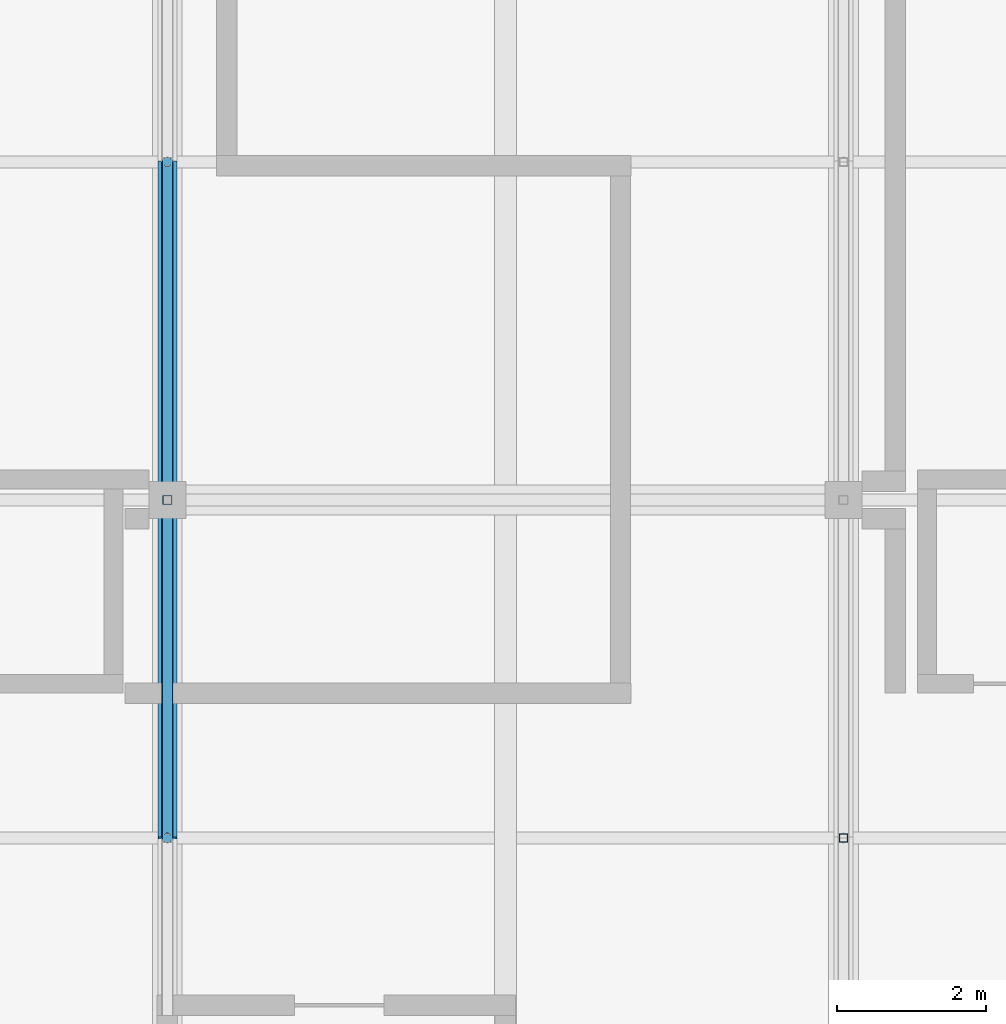
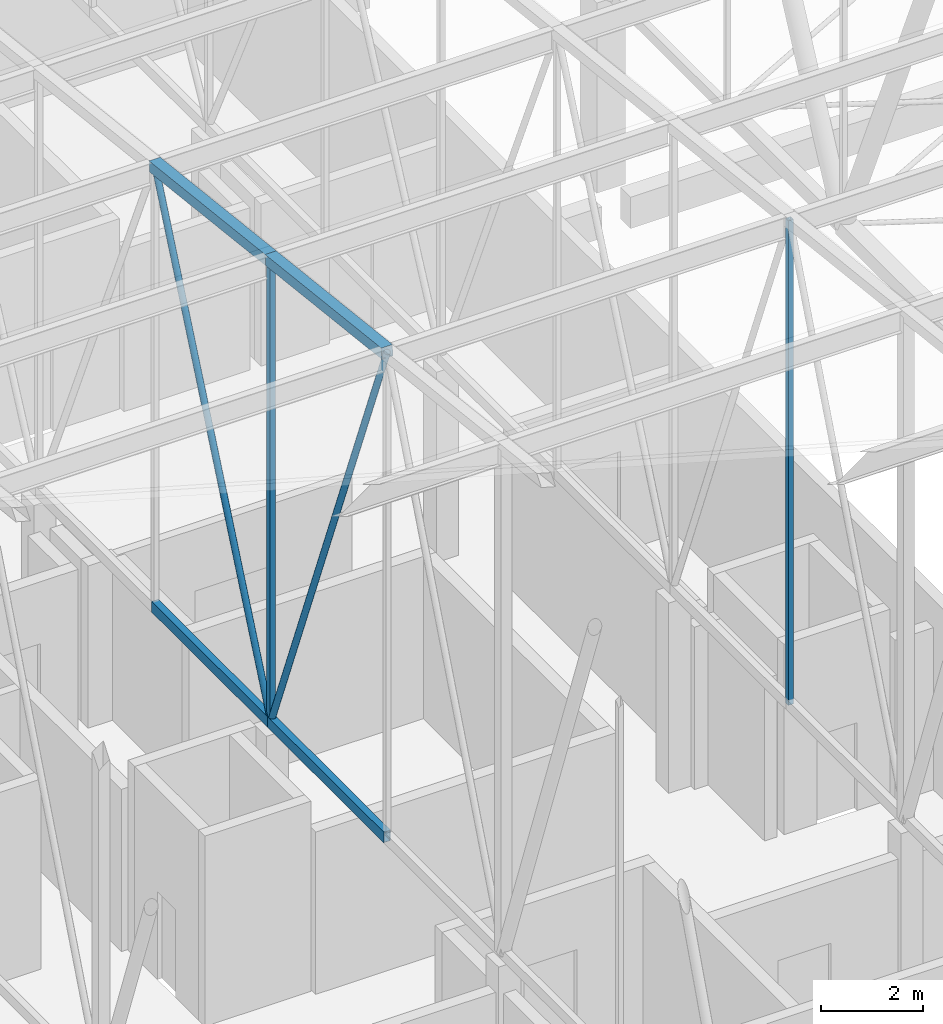
# One storey, part 210 of 500: 8 members.
"""IFC4 building model written with IfcOpenShell, lengths in metres."""

from ifc_helpers import new_model, si_unit, direction, frame, origin, origin_2d, place, context, subcontext, project, spatial, hollow_rectangle, hollow_circle, extrude, material, material_profile, profile_set, type_object, element, save


model = new_model("IFC4")

# Units and contexts
model_context = context("Model", 3, precision=1e-05, world=origin(), true_north=direction((0.0, 1.0)))
body_context = subcontext(model_context, "Body", "Model", "MODEL_VIEW")
ifc_project = project(units=[si_unit("LENGTHUNIT", "METRE"), si_unit("AREAUNIT", "SQUARE_METRE"), si_unit("VOLUMEUNIT", "CUBIC_METRE"), si_unit("PLANEANGLEUNIT", "RADIAN"), si_unit("MASSUNIT", "GRAM", prefix="KILO")], contexts=[model_context])

# Site, building, storey
site_placement = place(None, origin())
site = spatial("IfcSite", under=ifc_project, at=site_placement, CompositionType="ELEMENT")
building_placement = place(site_placement, origin())
building = spatial("IfcBuilding", under=site, at=building_placement, Name="Shirokan Park Arena", CompositionType="ELEMENT")
storey_placement = place(building_placement, frame((0.0, 0.0, 29.1201171875)))
storey = spatial("IfcBuildingStorey", under=building, at=storey_placement, Name="L06", CompositionType="ELEMENT", Elevation=29.1201171875)

# Members
ifc_material = material(Name="Steel ASTM A500 Grade C", Category="steel")
ifc_material_profile_1 = material_profile(ifc_material, hollow_rectangle(XDim=0.152099609375, YDim=0.25390625, WallThickness=0.009521484375, at=origin_2d()), Name="HSS254X152.4X9.5")
ifc_profile_set_1 = profile_set([ifc_material_profile_1], Name="Steel ASTM A500 Grade C")
member_type_1 = type_object("IfcMemberType", Name="Bottom chord HSS254X152.4X9.5", PredefinedType="CHORD", material=ifc_profile_set_1)
member_1_placement = place(storey_placement, frame((27.300048828125, 77.35009765625, 4.677001953125), z_axis=(0.0, 1.0, 0.0), x_axis=(-1.0, 0.0, 0.0)))
element("IfcMember", 1, at=member_1_placement, inside=storey, type_object=member_type_1, Name="Truss T04 bottom chord 20", PredefinedType="CHORD", context=body_context, shape_type="SweptSolid", body=[
    extrude(hollow_rectangle(XDim=0.152099609375, YDim=0.25390625, WallThickness=0.009521484375, at=origin_2d()), origin(), (0.0, 0.0, 1.0), 4.5498046875),
])
member_2_placement = place(storey_placement, frame((27.300048828125, 81.89990234375, 4.677001953125), z_axis=(0.0, 1.0, 0.0), x_axis=(-1.0, 0.0, 0.0)))
element("IfcMember", 2, at=member_2_placement, inside=storey, type_object=member_type_1, Name="Truss T04 bottom chord 21", PredefinedType="CHORD", context=body_context, shape_type="SweptSolid", body=[
    extrude(hollow_rectangle(XDim=0.152099609375, YDim=0.25390625, WallThickness=0.009521484375, at=origin_2d()), origin(), (0.0, 0.0, 1.0), 4.550048828125),
])
ifc_material_profile_2 = material_profile(ifc_material, hollow_rectangle(XDim=0.25390625, YDim=0.25390625, WallThickness=0.009521484375, at=origin_2d()), Name="HSS254X254X9.5")
ifc_profile_set_2 = profile_set([ifc_material_profile_2], Name="Steel ASTM A500 Grade C")
member_type_2 = type_object("IfcMemberType", Name="Top chord HSS254X254X9.5", PredefinedType="CHORD", material=ifc_profile_set_2)
member_3_placement = place(storey_placement, frame((27.300048828125, 77.35009765625, 16.262939453125), z_axis=(0.0, 0.993531641592, -0.11355561261), x_axis=(-1.0, 0.0, 0.0)))
element("IfcMember", 3, at=member_3_placement, inside=storey, type_object=member_type_2, Name="Truss T04 top chord 20", PredefinedType="CHORD", context=body_context, shape_type="SweptSolid", body=[
    extrude(hollow_rectangle(XDim=0.25390625, YDim=0.25390625, WallThickness=0.009521484375, at=origin_2d()), origin(), (0.0, 0.0, 1.0), 4.579345703125),
])
member_4_placement = place(storey_placement, frame((27.300048828125, 81.89990234375, 15.742919921875), z_axis=(0.0, 0.993532328996, -0.113549598152), x_axis=(-1.0, 0.0, 0.0)))
element("IfcMember", 4, at=member_4_placement, inside=storey, type_object=member_type_2, Name="Truss T04 top chord 21", PredefinedType="CHORD", context=body_context, shape_type="SweptSolid", body=[
    extrude(hollow_rectangle(XDim=0.25390625, YDim=0.25390625, WallThickness=0.009521484375, at=origin_2d()), origin(), (0.0, 0.0, 1.0), 4.57958984375),
])
ifc_material_profile_3 = material_profile(ifc_material, hollow_circle(Radius=0.070556640625, WallThickness=0.006591796875, at=origin_2d()), Name="HSS141.3X6.6")
ifc_profile_set_3 = profile_set([ifc_material_profile_3], Name="Steel ASTM A500 Grade C")
member_type_3 = type_object("IfcMemberType", Name="Truss diagonal HSS141.3X6.6", PredefinedType="BRACE", material=ifc_profile_set_3)
member_5_placement = place(storey_placement, frame((27.300048828125, 77.35009765625, 16.262939453125), z_axis=(0.0, 0.365526146051, -0.930801072493), x_axis=(-1.0, 0.0, 0.0)))
element("IfcMember", 5, at=member_5_placement, inside=storey, type_object=member_type_3, Name="Truss T04 diagonal 20", PredefinedType="BRACE", context=body_context, shape_type="SweptSolid", body=[
    extrude(hollow_circle(Radius=0.070556640625, WallThickness=0.006591796875, at=origin_2d()), origin(), (0.0, 0.0, 1.0), 12.447265625),
])
member_6_placement = place(storey_placement, frame((27.300048828125, 81.89990234375, 4.677001953125), z_axis=(0.0, 0.396152605513, 0.918184683572), x_axis=(-1.0, 0.0, 0.0)))
element("IfcMember", 6, at=member_6_placement, inside=storey, type_object=member_type_3, Name="Truss T04 diagonal 21", PredefinedType="BRACE", context=body_context, shape_type="SweptSolid", body=[
    extrude(hollow_circle(Radius=0.070556640625, WallThickness=0.006591796875, at=origin_2d()), origin(), (0.0, 0.0, 1.0), 11.485595703125),
])
ifc_material_profile_4 = material_profile(ifc_material, hollow_rectangle(XDim=0.114013671875, YDim=0.114013671875, WallThickness=0.00634765625, at=origin_2d()), Name="HSS114.3X114.3X6.4")
ifc_profile_set_4 = profile_set([ifc_material_profile_4], Name="Steel ASTM A500 Grade C")
member_type_4 = type_object("IfcMemberType", Name="Truss post HSS114.3X114.3X6.4", PredefinedType="POST", material=ifc_profile_set_4)
member_7_placement = place(storey_placement, frame((36.39990234375, 77.35009765625, 4.677001953125), z_axis=(0.0, 0.0, 1.0), x_axis=(1.0, 0.0, 0.0)))
element("IfcMember", 7, at=member_7_placement, inside=storey, type_object=member_type_4, Name="Truss T05 post 20", PredefinedType="POST", context=body_context, shape_type="SweptSolid", body=[
    extrude(hollow_rectangle(XDim=0.114013671875, YDim=0.114013671875, WallThickness=0.00634765625, at=origin_2d()), origin(), (0.0, 0.0, 1.0), 11.5859375),
])
ifc_material_profile_5 = material_profile(ifc_material, hollow_rectangle(XDim=0.126953125, YDim=0.126953125, WallThickness=0.008056640625, at=origin_2d()), Name="HSS127X127X7.9")
ifc_profile_set_5 = profile_set([ifc_material_profile_5], Name="Steel ASTM A500 Grade C")
member_type_5 = type_object("IfcMemberType", Name="Truss post HSS127X127X7.9", PredefinedType="POST", material=ifc_profile_set_5)
member_8_placement = place(storey_placement, frame((27.300048828125, 81.89990234375, 4.677001953125), z_axis=(0.0, 0.0, 1.0), x_axis=(1.0, 0.0, 0.0)))
element("IfcMember", 8, at=member_8_placement, inside=storey, type_object=member_type_5, Name="Truss T04 post 21", PredefinedType="POST", context=body_context, shape_type="SweptSolid", body=[
    extrude(hollow_rectangle(XDim=0.126953125, YDim=0.126953125, WallThickness=0.008056640625, at=origin_2d()), origin(), (0.0, 0.0, 1.0), 11.06591796875),
])

save(model, "model.ifc")
